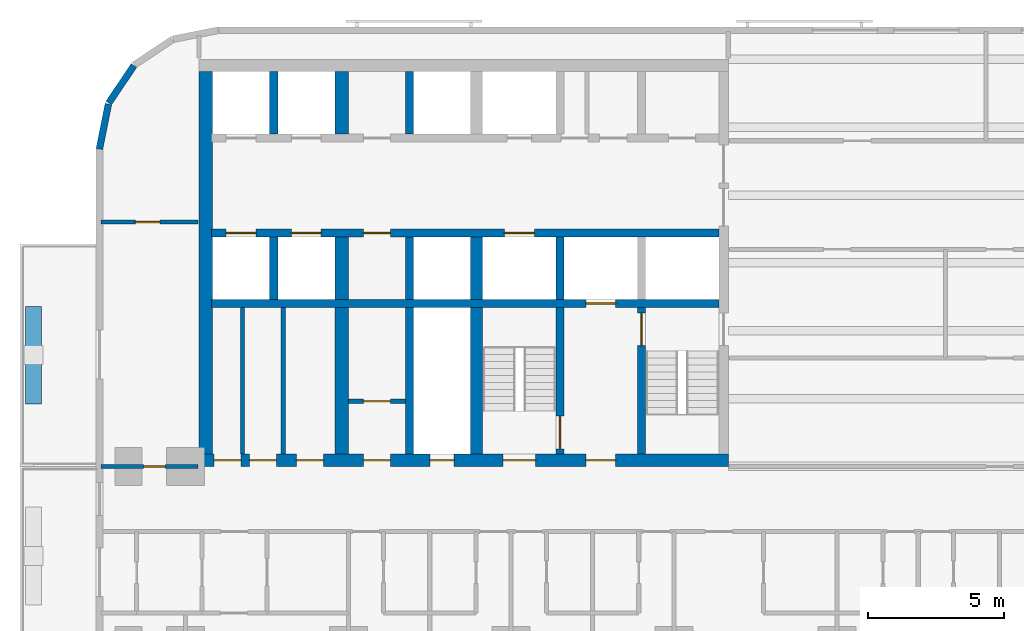
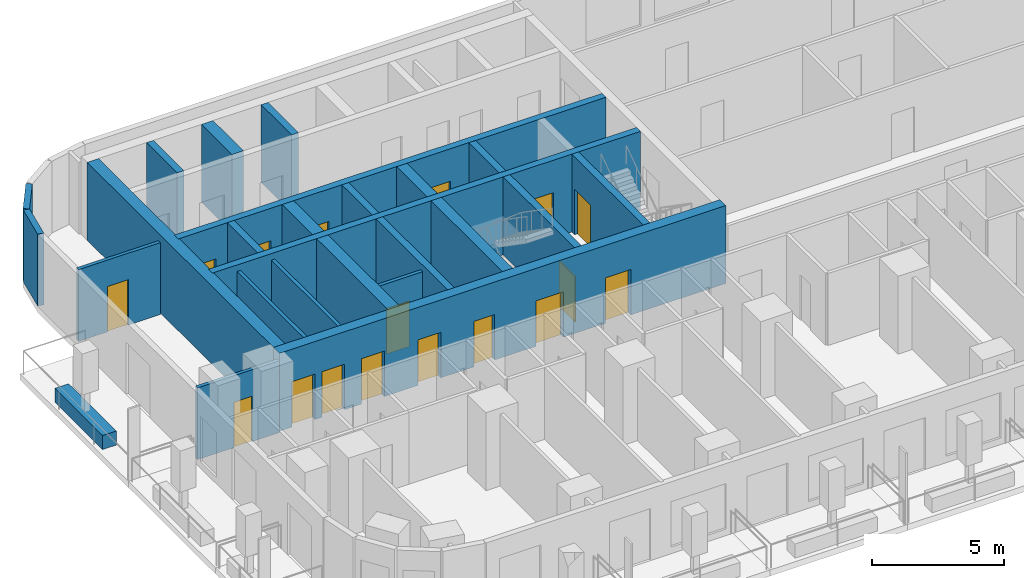
# One storey, part 3 of 15: 25 walls, 17 doors, 17 openings.
"""IFC4 building model written with IfcOpenShell, lengths in metres."""

from ifc_helpers import new_model, si_unit, direction, frame, frame_2d, origin, place, context, subcontext, project, spatial, rectangle, extrude, material, layer, layer_set, type_object, element, fill, save


model = new_model("IFC4")

# Units and contexts
model_context = context("Model", 3, precision=1e-05, world=origin(), true_north=direction((0.0, 1.0)))
body_context = subcontext(model_context, "Body", "Model", "MODEL_VIEW")
ifc_project = project(units=[si_unit("LENGTHUNIT", "METRE"), si_unit("AREAUNIT", "SQUARE_METRE"), si_unit("VOLUMEUNIT", "CUBIC_METRE"), si_unit("PLANEANGLEUNIT", "RADIAN"), si_unit("MASSUNIT", "GRAM", prefix="KILO")], contexts=[model_context])

# Site, building, storey
site_placement = place(None, origin())
site = spatial("IfcSite", under=ifc_project, at=site_placement, CompositionType="ELEMENT")
building_placement = place(site_placement, origin())
building = spatial("IfcBuilding", under=site, at=building_placement, Name="Torana Hotel and Residences", CompositionType="ELEMENT")
storey_placement = place(building_placement, frame((0.0, 0.0, 49.199951171875)))
storey = spatial("IfcBuildingStorey", under=building, at=storey_placement, Name="L11", CompositionType="ELEMENT", Elevation=49.199951171875)

# Wall, openings, doors
ifc_material_1 = material(Name="Concrete C80/95", Category="concrete")
ifc_layer_1 = layer(ifc_material_1, 0.300048828125)
ifc_layer_set_1 = layer_set([ifc_layer_1], Name="CORE WALL 300 C80/95")
wall_type_1 = type_object("IfcWallType", Name="CORE WALL 300 C80/95", PredefinedType="SHEAR", material=ifc_layer_set_1)
wall_1_placement = place(storey_placement, frame((-29.050048828125, -6.39990234375, 0.0), z_axis=(0.0, 0.0, 1.0), x_axis=(1.0, 0.0, 0.0)))
wall_1 = element("IfcWall", 1, at=wall_1_placement, inside=storey, type_object=wall_type_1, Name="Core wall W row-S", PredefinedType="SHEAR", context=body_context, shape_type="SweptSolid", body=[
    extrude(rectangle(XDim=18.699951171875, YDim=0.300048828125, at=frame_2d((9.35009765625, 0.0))), origin(), (0.0, 0.0, 1.0), 3.60009765625),
])
opening_1_placement = place(wall_1_placement, frame((2.949951171875, 0.0, 0.0)))
opening_1 = element("IfcOpeningElement", 2, at=opening_1_placement, cuts=wall_1, Name="Opening LD", PredefinedType="OPENING", context=body_context, shape_type="SweptSolid", body=[
    extrude(rectangle(XDim=1.10009765625, YDim=2.10009765625, at=frame_2d((0.550048828125, 1.050048828125))), frame((0.0, 0.159912109375, 0.0), z_axis=(0.0, -1.0, 0.0), x_axis=(1.0, 0.0, 0.0)), (0.0, 0.0, 1.0), 0.320068359375),
])
opening_2_placement = place(wall_1_placement, frame((0.550048828125, 0.0, 0.0)))
opening_2 = element("IfcOpeningElement", 3, at=opening_2_placement, cuts=wall_1, Name="Opening LD", PredefinedType="OPENING", context=body_context, shape_type="SweptSolid", body=[
    extrude(rectangle(XDim=1.10009765625, YDim=2.10009765625, at=frame_2d((0.550048828125, 1.050048828125))), frame((0.0, 0.159912109375, 0.0), z_axis=(0.0, -1.0, 0.0), x_axis=(1.0, 0.0, 0.0)), (0.0, 0.0, 1.0), 0.320068359375),
])
opening_3_placement = place(wall_1_placement, frame((10.800048828125, 0.0, 0.0)))
opening_3 = element("IfcOpeningElement", 4, at=opening_3_placement, cuts=wall_1, Name="Opening LD", PredefinedType="OPENING", context=body_context, shape_type="SweptSolid", body=[
    extrude(rectangle(XDim=1.10009765625, YDim=2.10009765625, at=frame_2d((0.550048828125, 1.050048828125))), frame((0.0, 0.159912109375, 0.0), z_axis=(0.0, -1.0, 0.0), x_axis=(1.0, 0.0, 0.0)), (0.0, 0.0, 1.0), 0.320068359375),
])
opening_4_placement = place(wall_1_placement, frame((5.60009765625, 0.0, 0.0)))
opening_4 = element("IfcOpeningElement", 5, at=opening_4_placement, cuts=wall_1, Name="Opening L11-16", PredefinedType="OPENING", context=body_context, shape_type="SweptSolid", body=[
    extrude(rectangle(XDim=1.0, YDim=2.10009765625, at=frame_2d((0.5, 1.050048828125))), frame((0.0, 0.159912109375, 0.0), z_axis=(0.0, -1.0, 0.0), x_axis=(1.0, 0.0, 0.0)), (0.0, 0.0, 1.0), 0.320068359375),
])
ifc_material_2 = material(Name="Steel S235", Category="steel")
door_type_1 = type_object("IfcDoorType", Name="CORE ROOM FIRE DOOR D14 1000x2100", OperationType="SINGLE_SWING_LEFT", PredefinedType="DOOR", material=ifc_material_2)
door_1_placement = place(opening_4_placement, frame((0.5, 0.0, 0.0), z_axis=(0.0, 0.0, 1.0), x_axis=(-1.0, 0.0, 0.0)))
door_1 = element("IfcDoor", 6, at=door_1_placement, inside=storey, type_object=door_type_1, Name="Free-M2 door L11", OperationType="SINGLE_SWING_LEFT", OverallHeight=2.10009765625, OverallWidth=1.0, PredefinedType="DOOR", context=body_context, shape_type="SweptSolid", body=[
    extrude(rectangle(XDim=1.0, YDim=2.10009765625, at=frame_2d((0.0, 1.050048828125))), frame((0.0, -0.02490234375, 0.0), z_axis=(0.0, 1.0, 0.0), x_axis=(-1.0, 0.0, 0.0)), (0.0, 0.0, 1.0), 0.050048828125),
])
fill(opening_4, door_1)
ifc_material_3 = material(Name="Stainless steel 316", Category="steel")
door_type_2 = type_object("IfcDoorType", Name="LIFT LANDING DOOR LD 1100x2100", OperationType="DOUBLE_DOOR_SLIDING", PredefinedType="USERDEFINED", material=ifc_material_3)
door_2_placement = place(opening_1_placement, origin())
door_2 = element("IfcDoor", 7, at=door_2_placement, inside=storey, type_object=door_type_2, Name="Lift landing door L3 L11", ObjectType="LIFT LANDING DOOR", OperationType="DOUBLE_DOOR_SLIDING", OverallHeight=2.10009765625, OverallWidth=1.10009765625, PredefinedType="USERDEFINED", context=body_context, shape_type="SweptSolid", body=[
    extrude(rectangle(XDim=1.10009765625, YDim=2.10009765625, at=frame_2d((0.550048828125, 1.050048828125))), frame((0.0, 0.02490234375, 0.0), z_axis=(0.0, -1.0, 0.0), x_axis=(1.0, 0.0, 0.0)), (0.0, 0.0, 1.0), 0.050048828125),
])
fill(opening_1, door_2)
door_3_placement = place(opening_2_placement, origin())
door_3 = element("IfcDoor", 8, at=door_3_placement, inside=storey, type_object=door_type_2, Name="Lift landing door L4 L11", ObjectType="LIFT LANDING DOOR", OperationType="DOUBLE_DOOR_SLIDING", OverallHeight=2.10009765625, OverallWidth=1.10009765625, PredefinedType="USERDEFINED", context=body_context, shape_type="SweptSolid", body=[
    extrude(rectangle(XDim=1.10009765625, YDim=2.10009765625, at=frame_2d((0.550048828125, 1.050048828125))), frame((0.0, 0.02490234375, 0.0), z_axis=(0.0, -1.0, 0.0), x_axis=(1.0, 0.0, 0.0)), (0.0, 0.0, 1.0), 0.050048828125),
])
fill(opening_2, door_3)
door_4_placement = place(opening_3_placement, origin())
door_4 = element("IfcDoor", 9, at=door_4_placement, inside=storey, type_object=door_type_2, Name="Lift landing door SV1 L11", ObjectType="LIFT LANDING DOOR", OperationType="DOUBLE_DOOR_SLIDING", OverallHeight=2.10009765625, OverallWidth=1.10009765625, PredefinedType="USERDEFINED", context=body_context, shape_type="SweptSolid", body=[
    extrude(rectangle(XDim=1.10009765625, YDim=2.10009765625, at=frame_2d((0.550048828125, 1.050048828125))), frame((0.0, 0.02490234375, 0.0), z_axis=(0.0, -1.0, 0.0), x_axis=(1.0, 0.0, 0.0)), (0.0, 0.0, 1.0), 0.050048828125),
])
fill(opening_3, door_4)

# Wall, opening, door
wall_2_placement = place(storey_placement, frame((-29.050048828125, -9.0, 0.0), z_axis=(0.0, 0.0, 1.0), x_axis=(1.0, 0.0, 0.0)))
wall_2 = element("IfcWall", 10, at=wall_2_placement, inside=storey, type_object=wall_type_1, Name="Core wall W band", PredefinedType="SHEAR", context=body_context, shape_type="SweptSolid", body=[
    extrude(rectangle(XDim=18.699951171875, YDim=0.300048828125, at=frame_2d((9.35009765625, 0.0))), origin(), (0.0, 0.0, 1.0), 3.60009765625),
])
opening_5_placement = place(wall_2_placement, frame((13.800048828125, 0.0, 0.0)))
opening_5 = element("IfcOpeningElement", 11, at=opening_5_placement, cuts=wall_2, Name="Opening LD", PredefinedType="OPENING", context=body_context, shape_type="SweptSolid", body=[
    extrude(rectangle(XDim=1.10009765625, YDim=2.10009765625, at=frame_2d((0.550048828125, 1.050048828125))), frame((0.0, 0.159912109375, 0.0), z_axis=(0.0, -1.0, 0.0), x_axis=(1.0, 0.0, 0.0)), (0.0, 0.0, 1.0), 0.320068359375),
])
door_5_placement = place(opening_5_placement, origin())
door_5 = element("IfcDoor", 12, at=door_5_placement, inside=storey, type_object=door_type_2, Name="Lift landing door FF1 L11", ObjectType="LIFT LANDING DOOR", OperationType="DOUBLE_DOOR_SLIDING", OverallHeight=2.10009765625, OverallWidth=1.10009765625, PredefinedType="USERDEFINED", context=body_context, shape_type="SweptSolid", body=[
    extrude(rectangle(XDim=1.10009765625, YDim=2.10009765625, at=frame_2d((0.550048828125, 1.050048828125))), frame((0.0, 0.02490234375, 0.0), z_axis=(0.0, -1.0, 0.0), x_axis=(1.0, 0.0, 0.0)), (0.0, 0.0, 1.0), 0.050048828125),
])
fill(opening_5, door_5)

wall_3_placement = place(storey_placement, frame((-13.199951171875, -14.550048828125, 0.0), z_axis=(0.0, 0.0, 1.0), x_axis=(0.0, 1.0, 0.0)))
wall_3 = element("IfcWall", 13, at=wall_3_placement, inside=storey, type_object=wall_type_1, Name="Core wall W x3.05-band", PredefinedType="SHEAR", context=body_context, shape_type="SweptSolid", body=[
    extrude(rectangle(XDim=5.400146484375, YDim=0.300048828125, at=frame_2d((2.7001953125, 0.0))), origin(), (0.0, 0.0, 1.0), 3.60009765625),
])
opening_6_placement = place(wall_3_placement, frame((4.0, 0.0, 0.0)))
opening_6 = element("IfcOpeningElement", 14, at=opening_6_placement, cuts=wall_3, Name="Opening L11-17", PredefinedType="OPENING", context=body_context, shape_type="SweptSolid", body=[
    extrude(rectangle(XDim=1.199951171875, YDim=2.10009765625, at=frame_2d((0.60009765625, 1.050048828125))), frame((0.0, 0.159912109375, 0.0), z_axis=(0.0, -1.0, 0.0), x_axis=(1.0, 0.0, 0.0)), (0.0, 0.0, 1.0), 0.320068359375),
])
ifc_material_4 = material(Name="Steel S235", Category="steel")
door_type_3 = type_object("IfcDoorType", Name="STAIR FIRE DOOR D3 1200x2100", OperationType="SINGLE_SWING_LEFT", PredefinedType="DOOR", material=ifc_material_4)
door_6_placement = place(opening_6_placement, frame((0.60009765625, 0.0, 0.0), z_axis=(0.0, 0.0, 1.0), x_axis=(-1.0, 0.0, 0.0)))
door_6 = element("IfcDoor", 15, at=door_6_placement, inside=storey, type_object=door_type_3, Name="Stair-A-lobby door L11", OperationType="SINGLE_SWING_RIGHT", OverallHeight=2.10009765625, OverallWidth=1.199951171875, PredefinedType="DOOR", context=body_context, shape_type="SweptSolid", body=[
    extrude(rectangle(XDim=1.199951171875, YDim=2.10009765625, at=frame_2d((0.0, 1.050048828125))), frame((0.0, -0.02490234375, 0.0), z_axis=(0.0, 1.0, 0.0), x_axis=(-1.0, 0.0, 0.0)), (0.0, 0.0, 1.0), 0.050048828125),
])
fill(opening_6, door_6)

# Wall
wall_4_placement = place(storey_placement, frame((-16.199951171875, -8.85009765625, 0.0), z_axis=(0.0, 0.0, 1.0), x_axis=(0.0, 1.0, 0.0)))
element("IfcWall", 16, at=wall_4_placement, inside=storey, type_object=wall_type_1, Name="Core wall W x6.05-S", PredefinedType="SHEAR", context=body_context, shape_type="SweptSolid", body=[
    extrude(rectangle(XDim=2.300048828125, YDim=0.300048828125, at=frame_2d((1.14990234375, 0.0))), origin(), (0.0, 0.0, 1.0), 3.60009765625),
])

# Wall, opening, door
wall_5_placement = place(storey_placement, frame((-16.199951171875, -14.550048828125, 0.0), z_axis=(0.0, 0.0, 1.0), x_axis=(0.0, 1.0, 0.0)))
wall_5 = element("IfcWall", 17, at=wall_5_placement, inside=storey, type_object=wall_type_1, Name="Core wall W x6.05-band", PredefinedType="SHEAR", context=body_context, shape_type="SweptSolid", body=[
    extrude(rectangle(XDim=5.400146484375, YDim=0.300048828125, at=frame_2d((2.7001953125, 0.0))), origin(), (0.0, 0.0, 1.0), 3.60009765625),
])
opening_7_placement = place(wall_5_placement, frame((0.199951171875, 0.0, 0.0)))
opening_7 = element("IfcOpeningElement", 18, at=opening_7_placement, cuts=wall_5, Name="Opening L11-18", PredefinedType="OPENING", context=body_context, shape_type="SweptSolid", body=[
    extrude(rectangle(XDim=1.199951171875, YDim=2.10009765625, at=frame_2d((0.60009765625, 1.050048828125))), frame((0.0, 0.159912109375, 0.0), z_axis=(0.0, -1.0, 0.0), x_axis=(1.0, 0.0, 0.0)), (0.0, 0.0, 1.0), 0.320068359375),
])
door_7_placement = place(opening_7_placement, origin())
door_7 = element("IfcDoor", 19, at=door_7_placement, inside=storey, type_object=door_type_3, Name="Stair-B-lobby door L11", OperationType="SINGLE_SWING_RIGHT", OverallHeight=2.10009765625, OverallWidth=1.199951171875, PredefinedType="DOOR", context=body_context, shape_type="SweptSolid", body=[
    extrude(rectangle(XDim=1.199951171875, YDim=2.10009765625, at=frame_2d((0.60009765625, 1.050048828125))), frame((0.0, 0.02490234375, 0.0), z_axis=(0.0, -1.0, 0.0), x_axis=(1.0, 0.0, 0.0)), (0.0, 0.0, 1.0), 0.050048828125),
])
fill(opening_7, door_7)

# Walls
for number, where, z_axis, x_axis, name in (
    (20, (-21.75, -2.75, 0.0), (0.0, 0.0, 1.0), (0.0, 1.0, 0.0), "Core wall W mm-N"),
    (21, (-21.75, -8.85009765625, 0.0), (0.0, 0.0, 1.0), (0.0, 1.0, 0.0), "Core wall W mm-S"),
):
    element("IfcWall", number, at=place(storey_placement, frame(where, z_axis=z_axis, x_axis=x_axis)), inside=storey, type_object=wall_type_1, Name=name, PredefinedType="SHEAR", context=body_context, shape_type="SweptSolid", body=[
        extrude(rectangle(XDim=2.300048828125, YDim=0.300048828125, at=frame_2d((1.14990234375, 0.0))), origin(), (0.0, 0.0, 1.0), 3.60009765625),
    ])
wall_6_placement = place(storey_placement, frame((-21.75, -14.550048828125, 0.0), z_axis=(0.0, 0.0, 1.0), x_axis=(0.0, 1.0, 0.0)))
element("IfcWall", 22, at=wall_6_placement, inside=storey, type_object=wall_type_1, Name="Core wall W mm-band", PredefinedType="SHEAR", context=body_context, shape_type="SweptSolid", body=[
    extrude(rectangle(XDim=5.400146484375, YDim=0.300048828125, at=frame_2d((2.7001953125, 0.0))), origin(), (0.0, 0.0, 1.0), 3.60009765625),
])
for number, where, z_axis, x_axis, name in (
    (23, (-26.75, -2.75, 0.0), (0.0, 0.0, 1.0), (0.0, 1.0, 0.0), "Core wall W ll-N"),
    (24, (-26.75, -8.85009765625, 0.0), (0.0, 0.0, 1.0), (0.0, 1.0, 0.0), "Core wall W ll-S"),
):
    element("IfcWall", number, at=place(storey_placement, frame(where, z_axis=z_axis, x_axis=x_axis)), inside=storey, type_object=wall_type_1, Name=name, PredefinedType="SHEAR", context=body_context, shape_type="SweptSolid", body=[
        extrude(rectangle(XDim=2.300048828125, YDim=0.300048828125, at=frame_2d((1.14990234375, 0.0))), origin(), (0.0, 0.0, 1.0), 3.60009765625),
    ])

# Wall, openings, doors
ifc_material_5 = material(Name="Concrete C80/95", Category="concrete")
ifc_layer_2 = layer(ifc_material_5, 0.449951171875)
ifc_layer_set_2 = layer_set([ifc_layer_2], Name="CORE WALL 450 C80/95")
wall_type_2 = type_object("IfcWallType", Name="CORE WALL 450 C80/95", PredefinedType="SHEAR", material=ifc_layer_set_2)
wall_7_placement = place(storey_placement, frame((-29.5, -14.77490234375, 0.0), z_axis=(0.0, 0.0, 1.0), x_axis=(1.0, 0.0, 0.0)))
wall_7 = element("IfcWall", 25, at=wall_7_placement, inside=storey, type_object=wall_type_2, Name="Core wall W front", PredefinedType="SHEAR", context=body_context, shape_type="SweptSolid", body=[
    extrude(rectangle(XDim=19.5, YDim=0.449951171875, at=frame_2d((9.75, 0.0))), origin(), (0.0, 0.0, 1.0), 3.60009765625),
])
opening_8_placement = place(wall_7_placement, frame((11.199951171875, 0.0, 0.0)))
opening_8 = element("IfcOpeningElement", 26, at=opening_8_placement, cuts=wall_7, Name="Opening L11-04", PredefinedType="OPENING", context=body_context, shape_type="SweptSolid", body=[
    extrude(rectangle(XDim=1.199951171875, YDim=2.10009765625, at=frame_2d((0.60009765625, 1.050048828125))), frame((0.0, 0.23486328125, 0.0), z_axis=(0.0, -1.0, 0.0), x_axis=(1.0, 0.0, 0.0)), (0.0, 0.0, 1.0), 0.469970703125),
])
opening_9_placement = place(wall_7_placement, frame((14.25, 0.0, 0.0)))
opening_9 = element("IfcOpeningElement", 27, at=opening_9_placement, cuts=wall_7, Name="Opening L11-05", PredefinedType="OPENING", context=body_context, shape_type="SweptSolid", body=[
    extrude(rectangle(XDim=1.10009765625, YDim=2.10009765625, at=frame_2d((0.550048828125, 1.050048828125))), frame((0.0, 0.23486328125, 0.0), z_axis=(0.0, -1.0, 0.0), x_axis=(1.0, 0.0, 0.0)), (0.0, 0.0, 1.0), 0.469970703125),
])
opening_10_placement = place(wall_7_placement, frame((8.5, 0.0, 0.0)))
opening_10 = element("IfcOpeningElement", 28, at=opening_10_placement, cuts=wall_7, Name="Opening L11-06", PredefinedType="OPENING", context=body_context, shape_type="SweptSolid", body=[
    extrude(rectangle(XDim=0.89990234375, YDim=2.10009765625, at=frame_2d((0.449951171875, 1.050048828125))), frame((0.0, 0.23486328125, 0.0), z_axis=(0.0, -1.0, 0.0), x_axis=(1.0, 0.0, 0.0)), (0.0, 0.0, 1.0), 0.469970703125),
])
opening_11_placement = place(wall_7_placement, frame((6.050048828125, 0.0, 0.0)))
opening_11 = element("IfcOpeningElement", 29, at=opening_11_placement, cuts=wall_7, Name="Opening L11-07", PredefinedType="OPENING", context=body_context, shape_type="SweptSolid", body=[
    extrude(rectangle(XDim=1.0, YDim=2.10009765625, at=frame_2d((0.5, 1.050048828125))), frame((0.0, 0.23486328125, 0.0), z_axis=(0.0, -1.0, 0.0), x_axis=(1.0, 0.0, 0.0)), (0.0, 0.0, 1.0), 0.469970703125),
])
opening_12_placement = place(wall_7_placement, frame((3.58740234375, 0.0, 0.0)))
opening_12 = element("IfcOpeningElement", 30, at=opening_12_placement, cuts=wall_7, Name="Opening L11-08", PredefinedType="OPENING", context=body_context, shape_type="SweptSolid", body=[
    extrude(rectangle(XDim=1.0, YDim=2.10009765625, at=frame_2d((0.5, 1.050048828125))), frame((0.0, 0.23486328125, 0.0), z_axis=(0.0, -1.0, 0.0), x_axis=(1.0, 0.0, 0.0)), (0.0, 0.0, 1.0), 0.469970703125),
])
opening_13_placement = place(wall_7_placement, frame((1.85009765625, 0.0, 0.0)))
opening_13 = element("IfcOpeningElement", 31, at=opening_13_placement, cuts=wall_7, Name="Opening L11-09", PredefinedType="OPENING", context=body_context, shape_type="SweptSolid", body=[
    extrude(rectangle(XDim=1.0, YDim=2.10009765625, at=frame_2d((0.5, 1.050048828125))), frame((0.0, 0.23486328125, 0.0), z_axis=(0.0, -1.0, 0.0), x_axis=(1.0, 0.0, 0.0)), (0.0, 0.0, 1.0), 0.469970703125),
])
opening_14_placement = place(wall_7_placement, frame((0.550048828125, 0.0, 0.0)))
opening_14 = element("IfcOpeningElement", 32, at=opening_14_placement, cuts=wall_7, Name="Opening L11-10", PredefinedType="OPENING", context=body_context, shape_type="SweptSolid", body=[
    extrude(rectangle(XDim=1.0, YDim=2.10009765625, at=frame_2d((0.5, 1.050048828125))), frame((0.0, 0.23486328125, 0.0), z_axis=(0.0, -1.0, 0.0), x_axis=(1.0, 0.0, 0.0)), (0.0, 0.0, 1.0), 0.469970703125),
])
door_8_placement = place(opening_11_placement, origin())
door_8 = element("IfcDoor", 33, at=door_8_placement, inside=storey, type_object=door_type_1, Name="M-Room-B door L11", OperationType="SINGLE_SWING_RIGHT", OverallHeight=2.10009765625, OverallWidth=1.0, PredefinedType="DOOR", context=body_context, shape_type="SweptSolid", body=[
    extrude(rectangle(XDim=1.0, YDim=2.10009765625, at=frame_2d((0.5, 1.050048828125))), frame((0.0, 0.02490234375, 0.0), z_axis=(0.0, -1.0, 0.0), x_axis=(1.0, 0.0, 0.0)), (0.0, 0.0, 1.0), 0.050048828125),
])
fill(opening_11, door_8)
door_9_placement = place(opening_12_placement, origin())
door_9 = element("IfcDoor", 34, at=door_9_placement, inside=storey, type_object=door_type_1, Name="L-A door L11", OperationType="SINGLE_SWING_RIGHT", OverallHeight=2.10009765625, OverallWidth=1.0, PredefinedType="DOOR", context=body_context, shape_type="SweptSolid", body=[
    extrude(rectangle(XDim=1.0, YDim=2.10009765625, at=frame_2d((0.5, 1.050048828125))), frame((0.0, 0.02490234375, 0.0), z_axis=(0.0, -1.0, 0.0), x_axis=(1.0, 0.0, 0.0)), (0.0, 0.0, 1.0), 0.050048828125),
])
fill(opening_12, door_9)
door_10_placement = place(opening_13_placement, origin())
door_10 = element("IfcDoor", 35, at=door_10_placement, inside=storey, type_object=door_type_1, Name="L-B door L11", OperationType="SINGLE_SWING_RIGHT", OverallHeight=2.10009765625, OverallWidth=1.0, PredefinedType="DOOR", context=body_context, shape_type="SweptSolid", body=[
    extrude(rectangle(XDim=1.0, YDim=2.10009765625, at=frame_2d((0.5, 1.050048828125))), frame((0.0, 0.02490234375, 0.0), z_axis=(0.0, -1.0, 0.0), x_axis=(1.0, 0.0, 0.0)), (0.0, 0.0, 1.0), 0.050048828125),
])
fill(opening_13, door_10)
door_11_placement = place(opening_14_placement, origin())
door_11 = element("IfcDoor", 36, at=door_11_placement, inside=storey, type_object=door_type_1, Name="L-C door L11", OperationType="SINGLE_SWING_RIGHT", OverallHeight=2.10009765625, OverallWidth=1.0, PredefinedType="DOOR", context=body_context, shape_type="SweptSolid", body=[
    extrude(rectangle(XDim=1.0, YDim=2.10009765625, at=frame_2d((0.5, 1.050048828125))), frame((0.0, 0.02490234375, 0.0), z_axis=(0.0, -1.0, 0.0), x_axis=(1.0, 0.0, 0.0)), (0.0, 0.0, 1.0), 0.050048828125),
])
fill(opening_14, door_11)
ifc_material_6 = material(Name="Steel S235", Category="steel")
door_type_4 = type_object("IfcDoorType", Name="FIRE-FIGHTING LOBBY DOOR D8 1100x2100", OperationType="SINGLE_SWING_LEFT", PredefinedType="DOOR", material=ifc_material_6)
door_12_placement = place(opening_9_placement, origin())
door_12 = element("IfcDoor", 37, at=door_12_placement, inside=storey, type_object=door_type_4, Name="FF-lobby door L11", OperationType="SINGLE_SWING_RIGHT", OverallHeight=2.10009765625, OverallWidth=1.10009765625, PredefinedType="DOOR", context=body_context, shape_type="SweptSolid", body=[
    extrude(rectangle(XDim=1.10009765625, YDim=2.10009765625, at=frame_2d((0.550048828125, 1.050048828125))), frame((0.0, 0.02490234375, 0.0), z_axis=(0.0, -1.0, 0.0), x_axis=(1.0, 0.0, 0.0)), (0.0, 0.0, 1.0), 0.050048828125),
])
fill(opening_9, door_12)
ifc_material_7 = material(Name="Steel S235", Category="steel")
door_type_5 = type_object("IfcDoorType", Name="RISER ACCESS DOOR D5 900x2100", OperationType="SINGLE_SWING_LEFT", PredefinedType="DOOR", material=ifc_material_7)
door_13_placement = place(opening_10_placement, origin())
door_13 = element("IfcDoor", 38, at=door_13_placement, inside=storey, type_object=door_type_5, Name="M-Riser door L11", OperationType="SINGLE_SWING_RIGHT", OverallHeight=2.10009765625, OverallWidth=0.89990234375, PredefinedType="DOOR", context=body_context, shape_type="SweptSolid", body=[
    extrude(rectangle(XDim=0.89990234375, YDim=2.10009765625, at=frame_2d((0.449951171875, 1.050048828125))), frame((0.0, 0.02490234375, 0.0), z_axis=(0.0, -1.0, 0.0), x_axis=(1.0, 0.0, 0.0)), (0.0, 0.0, 1.0), 0.050048828125),
])
fill(opening_10, door_13)
door_14_placement = place(opening_8_placement, origin())
door_14 = element("IfcDoor", 39, at=door_14_placement, inside=storey, type_object=door_type_3, Name="Stair-B door L11", OperationType="SINGLE_SWING_RIGHT", OverallHeight=2.10009765625, OverallWidth=1.199951171875, PredefinedType="DOOR", context=body_context, shape_type="SweptSolid", body=[
    extrude(rectangle(XDim=1.199951171875, YDim=2.10009765625, at=frame_2d((0.60009765625, 1.050048828125))), frame((0.0, 0.02490234375, 0.0), z_axis=(0.0, -1.0, 0.0), x_axis=(1.0, 0.0, 0.0)), (0.0, 0.0, 1.0), 0.050048828125),
])
fill(opening_8, door_14)

# Walls
wall_8_placement = place(storey_placement, frame((-19.27490234375, -8.85009765625, 0.0), z_axis=(0.0, 0.0, 1.0), x_axis=(0.0, 1.0, 0.0)))
element("IfcWall", 40, at=wall_8_placement, inside=storey, type_object=wall_type_2, Name="Core wall W hm-S", PredefinedType="SHEAR", context=body_context, shape_type="SweptSolid", body=[
    extrude(rectangle(XDim=2.300048828125, YDim=0.449951171875, at=frame_2d((1.14990234375, 0.0))), origin(), (0.0, 0.0, 1.0), 3.60009765625),
])
wall_9_placement = place(storey_placement, frame((-19.27490234375, -14.550048828125, 0.0), z_axis=(0.0, 0.0, 1.0), x_axis=(0.0, 1.0, 0.0)))
element("IfcWall", 41, at=wall_9_placement, inside=storey, type_object=wall_type_2, Name="Core wall W hm-band", PredefinedType="SHEAR", context=body_context, shape_type="SweptSolid", body=[
    extrude(rectangle(XDim=5.400146484375, YDim=0.449951171875, at=frame_2d((2.7001953125, 0.0))), origin(), (0.0, 0.0, 1.0), 3.60009765625),
])
ifc_material_8 = material(Name="Concrete C80/95", Category="concrete")
ifc_layer_3 = layer(ifc_material_8, 0.5)
ifc_layer_set_3 = layer_set([ifc_layer_3], Name="CORE WALL 500 C80/95")
wall_type_3 = type_object("IfcWallType", Name="CORE WALL 500 C80/95", PredefinedType="SHEAR", material=ifc_layer_set_3)
wall_10_placement = place(storey_placement, frame((-29.25, -14.550048828125, 0.0), z_axis=(0.0, 0.0, 1.0), x_axis=(0.0, 1.0, 0.0)))
element("IfcWall", 42, at=wall_10_placement, inside=storey, type_object=wall_type_3, Name="Core wall W outer", PredefinedType="SHEAR", context=body_context, shape_type="SweptSolid", body=[
    extrude(rectangle(XDim=14.10009765625, YDim=0.5, at=frame_2d((7.050048828125, 0.0))), origin(), (0.0, 0.0, 1.0), 3.60009765625),
])
for number, where, z_axis, x_axis, name in (
    (43, (-24.25, -2.75, 0.0), (0.0, 0.0, 1.0), (0.0, 1.0, 0.0), "Core wall W ml-N"),
    (44, (-24.25, -8.85009765625, 0.0), (0.0, 0.0, 1.0), (0.0, 1.0, 0.0), "Core wall W ml-S"),
):
    element("IfcWall", number, at=place(storey_placement, frame(where, z_axis=z_axis, x_axis=x_axis)), inside=storey, type_object=wall_type_3, Name=name, PredefinedType="SHEAR", context=body_context, shape_type="SweptSolid", body=[
        extrude(rectangle(XDim=2.300048828125, YDim=0.5, at=frame_2d((1.14990234375, 0.0))), origin(), (0.0, 0.0, 1.0), 3.60009765625),
    ])
wall_11_placement = place(storey_placement, frame((-24.25, -14.550048828125, 0.0), z_axis=(0.0, 0.0, 1.0), x_axis=(0.0, 1.0, 0.0)))
element("IfcWall", 45, at=wall_11_placement, inside=storey, type_object=wall_type_3, Name="Core wall W ml-band", PredefinedType="SHEAR", context=body_context, shape_type="SweptSolid", body=[
    extrude(rectangle(XDim=5.400146484375, YDim=0.5, at=frame_2d((2.7001953125, 0.0))), origin(), (0.0, 0.0, 1.0), 3.60009765625),
])
ifc_material_9 = material(Name="Black aluminium composite panel", Category="aluminium")
ifc_layer_4 = layer(ifc_material_9, 0.00390625, Name="Cladding", Category="cladding")
ifc_material_10 = material(Name="Ventilated air cavity")
ifc_layer_5 = layer(ifc_material_10, 0.0400390625, Name="Ventilated cavity", Category="cavity")
ifc_material_11 = material(Name="Mineral wool insulation")
ifc_layer_6 = layer(ifc_material_11, 0.090087890625, Name="Insulation", Category="insulation")
ifc_material_12 = material(Name="Steel S280GD", Category="steel")
ifc_layer_7 = layer(ifc_material_12, 0.092041015625, Name="Steel stud frame", Category="structure")
ifc_material_13 = material(Name="Fire rated plasterboard")
ifc_layer_8 = layer(ifc_material_13, 0.011962890625, Name="Inner board", Category="finish")
ifc_layer_9 = layer(ifc_material_13, 0.011962890625, Name="Second board", Category="finish")
ifc_layer_set_4 = layer_set([ifc_layer_4, ifc_layer_5, ifc_layer_6, ifc_layer_7, ifc_layer_8, ifc_layer_9], Name="EW1 EXTERNAL WALL BLACK METAL CLAD 250")
wall_type_4 = type_object("IfcWallType", Name="EW1 EXTERNAL WALL BLACK METAL CLAD 250", PredefinedType="SOLIDWALL", material=ifc_layer_set_4)
wall_12_placement = place(storey_placement, frame((-31.90576171875, -0.228759765625, 0.0), z_axis=(0.0, 0.0, 1.0), x_axis=(-0.55555029066, -0.831482937015, 0.0)))
element("IfcWall", 46, at=wall_12_placement, inside=storey, type_object=wall_type_4, Name="External wall L11 e0.7", PredefinedType="SOLIDWALL", context=body_context, shape_type="SweptSolid", body=[
    extrude(rectangle(XDim=1.65625, YDim=0.25, at=frame_2d((0.828125, 0.0))), origin(), (0.0, 0.0, 1.0), 3.320068359375),
])
wall_13_placement = place(storey_placement, frame((-32.844482421875, -1.651123046875, 0.0), z_axis=(0.0, 0.0, 1.0), x_axis=(-0.19513878023, -0.980775640221, 0.0)))
element("IfcWall", 47, at=wall_13_placement, inside=storey, type_object=wall_type_4, Name="External wall L11 e0.8", PredefinedType="SOLIDWALL", context=body_context, shape_type="SweptSolid", body=[
    extrude(rectangle(XDim=1.681396484375, YDim=0.25, at=frame_2d((0.8408203125, 0.0))), origin(), (0.0, 0.0, 1.0), 3.320068359375),
])

# Wall, opening, door
ifc_material_14 = material(Name="Gypsum plaster")
ifc_layer_10 = layer(ifc_material_14, 0.014892578125, Name="Plaster", Category="finish")
ifc_material_15 = material(Name="Concrete blockwork", Category="masonry")
ifc_layer_11 = layer(ifc_material_15, 0.1201171875, Name="Blockwork", Category="structure")
ifc_layer_12 = layer(ifc_material_14, 0.014892578125, Name="Plaster", Category="finish")
ifc_layer_set_5 = layer_set([ifc_layer_10, ifc_layer_11, ifc_layer_12], Name="FIRE PARTITION 150 BLOCKWORK")
wall_type_5 = type_object("IfcWallType", Name="FIRE PARTITION 150 BLOCKWORK", PredefinedType="PARTITIONING", material=ifc_layer_set_5)
wall_14_placement = place(storey_placement, frame((-24.0, -12.60009765625, 0.0), z_axis=(0.0, 0.0, 1.0), x_axis=(1.0, 0.0, 0.0)))
wall_14 = element("IfcWall", 48, at=wall_14_placement, inside=storey, type_object=wall_type_5, Name="Core partition L11", PredefinedType="PARTITIONING", context=body_context, shape_type="SweptSolid", body=[
    extrude(rectangle(XDim=2.10009765625, YDim=0.14990234375, at=frame_2d((1.050048828125, 0.0))), origin(), (0.0, 0.0, 1.0), 3.300048828125),
])
opening_15_placement = place(wall_14_placement, frame((0.550048828125, 0.0, 0.0)))
opening_15 = element("IfcOpeningElement", 49, at=opening_15_placement, cuts=wall_14, Name="Opening L11-37", PredefinedType="OPENING", context=body_context, shape_type="SweptSolid", body=[
    extrude(rectangle(XDim=1.0, YDim=2.10009765625, at=frame_2d((0.5, 1.050048828125))), frame((0.0, 0.0849609375, 0.0), z_axis=(0.0, -1.0, 0.0), x_axis=(1.0, 0.0, 0.0)), (0.0, 0.0, 1.0), 0.169921875),
])
door_15_placement = place(opening_15_placement, origin())
door_15 = element("IfcDoor", 50, at=door_15_placement, inside=storey, type_object=door_type_1, Name="Plant room door L11", OperationType="SINGLE_SWING_RIGHT", OverallHeight=2.10009765625, OverallWidth=1.0, PredefinedType="DOOR", context=body_context, shape_type="SweptSolid", body=[
    extrude(rectangle(XDim=1.0, YDim=2.10009765625, at=frame_2d((0.5, 1.050048828125))), frame((0.0, 0.02490234375, 0.0), z_axis=(0.0, -1.0, 0.0), x_axis=(1.0, 0.0, 0.0)), (0.0, 0.0, 1.0), 0.050048828125),
])
fill(opening_15, door_15)

# Walls
for number, where, z_axis, x_axis, name in (
    (51, (-26.39990234375, -14.550048828125, 0.0), (0.0, 0.0, 1.0), (0.0, 1.0, 0.0), "Core partition L11"),
    (52, (-27.89990234375, -14.550048828125, 0.0), (0.0, 0.0, 1.0), (0.0, 1.0, 0.0), "Core partition L11"),
):
    element("IfcWall", number, at=place(storey_placement, frame(where, z_axis=z_axis, x_axis=x_axis)), inside=storey, type_object=wall_type_5, Name=name, PredefinedType="PARTITIONING", context=body_context, shape_type="SweptSolid", body=[
        extrude(rectangle(XDim=5.400146484375, YDim=0.14990234375, at=frame_2d((2.7001953125, 0.0))), origin(), (0.0, 0.0, 1.0), 3.300048828125),
    ])

# Wall, opening, door
wall_15_placement = place(storey_placement, frame((-33.1201171875, -15.0, 0.0), z_axis=(0.0, 0.0, 1.0), x_axis=(1.0, 0.0, 0.0)))
wall_15 = element("IfcWall", 53, at=wall_15_placement, inside=storey, type_object=wall_type_5, Name="Partition L11", PredefinedType="PARTITIONING", context=body_context, shape_type="SweptSolid", body=[
    extrude(rectangle(XDim=3.570068359375, YDim=0.14990234375, at=frame_2d((1.78515625, 0.0))), origin(), (0.0, 0.0, 1.0), 3.320068359375),
])
opening_16_placement = place(wall_15_placement, frame((1.580078125, 0.0, 0.0)))
opening_16 = element("IfcOpeningElement", 54, at=opening_16_placement, cuts=wall_15, Name="Opening L11-53", PredefinedType="OPENING", context=body_context, shape_type="SweptSolid", body=[
    extrude(rectangle(XDim=0.800048828125, YDim=2.10009765625, at=frame_2d((0.39990234375, 1.050048828125))), frame((0.0, 0.0849609375, 0.0), z_axis=(0.0, -1.0, 0.0), x_axis=(1.0, 0.0, 0.0)), (0.0, 0.0, 1.0), 0.169921875),
])
ifc_material_16 = material(Name="Steel S235", Category="steel")
door_type_6 = type_object("IfcDoorType", Name="STORE FIRE DOOR D16 800x2100", OperationType="SINGLE_SWING_LEFT", PredefinedType="DOOR", material=ifc_material_16)
door_16_placement = place(opening_16_placement, origin())
door_16 = element("IfcDoor", 55, at=door_16_placement, inside=storey, type_object=door_type_6, Name="Door L11", OperationType="SINGLE_SWING_RIGHT", OverallHeight=2.10009765625, OverallWidth=0.800048828125, PredefinedType="DOOR", context=body_context, shape_type="SweptSolid", body=[
    extrude(rectangle(XDim=0.800048828125, YDim=2.10009765625, at=frame_2d((0.39990234375, 1.050048828125))), frame((0.0, 0.02490234375, 0.0), z_axis=(0.0, -1.0, 0.0), x_axis=(1.0, 0.0, 0.0)), (0.0, 0.0, 1.0), 0.050048828125),
])
fill(opening_16, door_16)

# Wall
ifc_material_17 = material(Name="Concrete C40/50 precast", Category="concrete")
ifc_layer_13 = layer(ifc_material_17, 0.10009765625, Name="Planter shell", Category="structure")
ifc_material_18 = material(Name="Root resistant membrane")
ifc_layer_14 = layer(ifc_material_18, 0.00390625, Name="Waterproofing membrane", Category="membrane")
ifc_material_19 = material(Name="Drainage board with filter fleece")
ifc_layer_15 = layer(ifc_material_19, 0.02001953125, Name="Drainage board", Category="drainage")
ifc_material_20 = material(Name="Growing medium")
ifc_layer_16 = layer(ifc_material_20, 0.47607421875, Name="Planting substrate", Category="soil")
ifc_layer_set_6 = layer_set([ifc_layer_13, ifc_layer_14, ifc_layer_15, ifc_layer_16], Name="PL1 BALCONY PLANTER 600")
wall_type_6 = type_object("IfcWallType", Name="PL1 BALCONY PLANTER 600", PredefinedType="USERDEFINED", material=ifc_layer_set_6)
wall_16_placement = place(storey_placement, frame((-35.60009765625, -12.699951171875, 0.0), z_axis=(0.0, 0.0, 1.0), x_axis=(0.0, 1.0, 0.0)))
element("IfcWall", 56, at=wall_16_placement, inside=storey, type_object=wall_type_6, Name="Planter 13", ObjectType="PLANTER", PredefinedType="USERDEFINED", context=body_context, shape_type="SweptSolid", body=[
    extrude(rectangle(XDim=3.599853515625, YDim=0.60009765625, at=frame_2d((1.7998046875, 0.0))), origin(), (0.0, 0.0, 1.0), 0.650146484375),
])

# Wall, opening, door
ifc_material_21 = material(Name="Ceramic tile on adhesive")
ifc_layer_17 = layer(ifc_material_21, 0.010009765625, Name="Wall tile", Category="finish")
ifc_material_22 = material(Name="Cement render")
ifc_layer_18 = layer(ifc_material_22, 0.010009765625, Name="Render", Category="finish")
ifc_layer_19 = layer(ifc_material_15, 0.110107421875, Name="Blockwork", Category="structure")
ifc_layer_20 = layer(ifc_material_22, 0.010009765625, Name="Render", Category="finish")
ifc_layer_21 = layer(ifc_material_21, 0.010009765625, Name="Wall tile", Category="finish")
ifc_layer_set_7 = layer_set([ifc_layer_17, ifc_layer_18, ifc_layer_19, ifc_layer_20, ifc_layer_21], Name="WC PARTITION 150")
wall_type_7 = type_object("IfcWallType", Name="WC PARTITION 150", PredefinedType="PLUMBINGWALL", material=ifc_layer_set_7)
wall_17_placement = place(storey_placement, frame((-33.1201171875, -6.0, 0.0), z_axis=(0.0, 0.0, 1.0), x_axis=(1.0, 0.0, 0.0)))
wall_17 = element("IfcWall", 57, at=wall_17_placement, inside=storey, type_object=wall_type_7, Name="Partition L11", PredefinedType="PLUMBINGWALL", context=body_context, shape_type="SweptSolid", body=[
    extrude(rectangle(XDim=3.570068359375, YDim=0.14990234375, at=frame_2d((1.78515625, 0.0))), origin(), (0.0, 0.0, 1.0), 3.320068359375),
])
opening_17_placement = place(wall_17_placement, frame((1.27001953125, 0.0, 0.0)))
opening_17 = element("IfcOpeningElement", 58, at=opening_17_placement, cuts=wall_17, Name="Opening L11-89", PredefinedType="OPENING", context=body_context, shape_type="SweptSolid", body=[
    extrude(rectangle(XDim=0.89990234375, YDim=2.10009765625, at=frame_2d((0.449951171875, 1.050048828125))), frame((0.0, 0.0849609375, 0.0), z_axis=(0.0, -1.0, 0.0), x_axis=(1.0, 0.0, 0.0)), (0.0, 0.0, 1.0), 0.169921875),
])
ifc_material_23 = material(Name="Timber door, oiled ash", Category="wood")
door_type_7 = type_object("IfcDoorType", Name="ROOM DOOR D7 900x2100", OperationType="SINGLE_SWING_LEFT", PredefinedType="DOOR", material=ifc_material_23)
door_17_placement = place(opening_17_placement, origin())
door_17 = element("IfcDoor", 59, at=door_17_placement, inside=storey, type_object=door_type_7, Name="Door L11", OperationType="SINGLE_SWING_RIGHT", OverallHeight=2.10009765625, OverallWidth=0.89990234375, PredefinedType="DOOR", context=body_context, shape_type="SweptSolid", body=[
    extrude(rectangle(XDim=0.89990234375, YDim=2.10009765625, at=frame_2d((0.449951171875, 1.050048828125))), frame((0.0, 0.02490234375, 0.0), z_axis=(0.0, -1.0, 0.0), x_axis=(1.0, 0.0, 0.0)), (0.0, 0.0, 1.0), 0.050048828125),
])
fill(opening_17, door_17)

save(model, "model.ifc")
